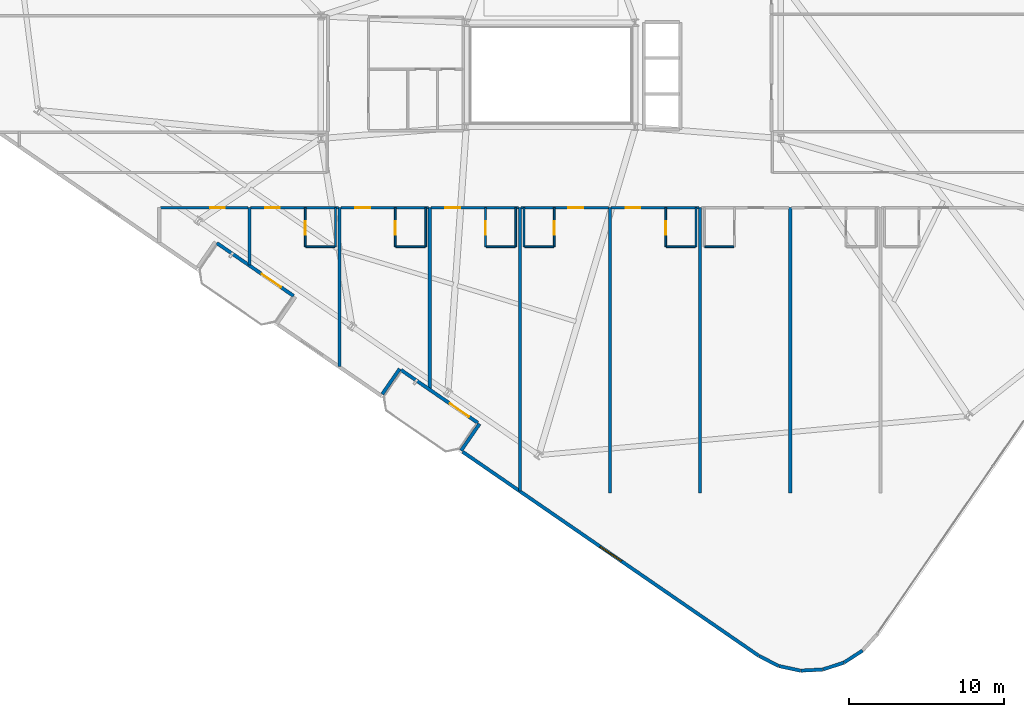
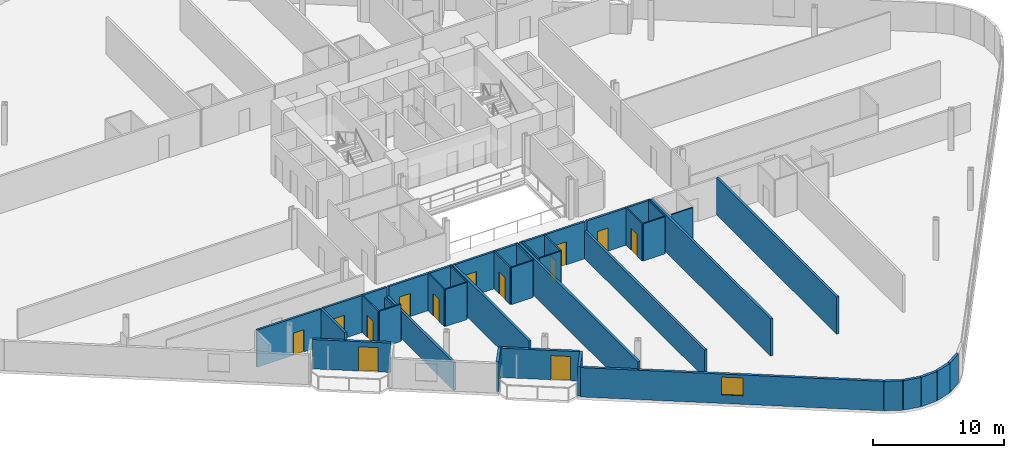
# One storey, part 17 of 25: 39 walls, 13 doors, 1 window, 14 openings.
"""IFC4 building model written with IfcOpenShell, lengths in metres."""

from ifc_helpers import new_model, si_unit, direction, frame, frame_2d, origin, place, context, subcontext, project, spatial, rectangle, extrude, material, layer, layer_set, type_object, element, fill, save


model = new_model("IFC4")

# Units and contexts
model_context = context("Model", 3, precision=1e-05, world=origin(), true_north=direction((0.0, 1.0)))
body_context = subcontext(model_context, "Body", "Model", "MODEL_VIEW")
ifc_project = project(units=[si_unit("LENGTHUNIT", "METRE"), si_unit("AREAUNIT", "SQUARE_METRE"), si_unit("VOLUMEUNIT", "CUBIC_METRE"), si_unit("PLANEANGLEUNIT", "RADIAN"), si_unit("MASSUNIT", "GRAM", prefix="KILO")], contexts=[model_context])

# Site, building, storey
site_placement = place(None, origin())
site = spatial("IfcSite", under=ifc_project, at=site_placement, CompositionType="ELEMENT")
building_placement = place(site_placement, origin())
building = spatial("IfcBuilding", under=site, at=building_placement, Name="Varnelok Gate Tower", CompositionType="ELEMENT")
storey_placement = place(building_placement, frame((0.0, 0.0, 64.0)))
storey = spatial("IfcBuildingStorey", under=building, at=storey_placement, Name="L15", CompositionType="ELEMENT", Elevation=64.0)

# Wall, opening, door
ifc_material_1 = material(Name="Concrete C45/55", Category="concrete")
ifc_layer_1 = layer(ifc_material_1, 0.219970703125)
ifc_layer_set_1 = layer_set([ifc_layer_1], Name="Concrete C45/55")
wall_type_1 = type_object("IfcWallType", Name="EW-BALC-220", PredefinedType="SOLIDWALL", material=ifc_layer_set_1)
wall_1_placement = place(storey_placement, frame((22.642822265625, 8.667236328125, 0.0), z_axis=(0.0, 0.0, 1.0), x_axis=(-0.823534636215, 0.567265989598, 0.0)))
wall_1 = element("IfcWall", 1, at=wall_1_placement, inside=storey, type_object=wall_type_1, Name="L15 South Terrace Envelope Wall 1", PredefinedType="SOLIDWALL", context=body_context, shape_type="SweptSolid", body=[
    extrude(rectangle(XDim=6.0, YDim=0.219970703125, at=frame_2d((3.0, 0.0))), origin(), (0.0, 0.0, 1.0), 2.72998046875),
])
opening_1_placement = place(wall_1_placement, frame((0.991943359375, 0.0, 0.0)))
opening_1 = element("IfcOpeningElement", 2, at=opening_1_placement, cuts=wall_1, Name="Opening BD-1", PredefinedType="OPENING", context=body_context, shape_type="SweptSolid", body=[
    extrude(rectangle(XDim=1.5, YDim=2.25, at=frame_2d((0.75, 1.125))), frame((0.0, 0.119873046875, 0.0), z_axis=(0.0, -1.0, 0.0), x_axis=(1.0, 0.0, 0.0)), (0.0, 0.0, 1.0), 0.239990234375),
])
ifc_material_2 = material(Name="Anodized Aluminum Alloy 6063-T6", Category="aluminium")
door_type_1 = type_object("IfcDoorType", Name="DR-EXT-BALC1500", OperationType="NOTDEFINED", PredefinedType="DOOR", material=ifc_material_2)
door_1_placement = place(opening_1_placement, origin())
door_1 = element("IfcDoor", 3, at=door_1_placement, inside=storey, type_object=door_type_1, Name="L15 South Balcony Glazed Door 1", OperationType="SINGLE_SWING_RIGHT", OverallHeight=2.25, OverallWidth=1.5, PredefinedType="DOOR", context=body_context, shape_type="SweptSolid", body=[
    extrude(rectangle(XDim=1.5, YDim=2.25, at=frame_2d((0.75, 1.125))), frame((0.0, 0.02490234375, 0.0), z_axis=(0.0, -1.0, 0.0), x_axis=(1.0, 0.0, 0.0)), (0.0, 0.0, 1.0), 0.050048828125),
])
fill(opening_1, door_1)

wall_2_placement = place(storey_placement, frame((34.501708984375, 0.49853515625, 0.0), z_axis=(0.0, 0.0, 1.0), x_axis=(-0.823534636215, 0.567265989598, 0.0)))
wall_2 = element("IfcWall", 4, at=wall_2_placement, inside=storey, type_object=wall_type_1, Name="L15 South Terrace Envelope Wall 2", PredefinedType="SOLIDWALL", context=body_context, shape_type="SweptSolid", body=[
    extrude(rectangle(XDim=6.0, YDim=0.219970703125, at=frame_2d((3.0, 0.0))), origin(), (0.0, 0.0, 1.0), 2.72998046875),
])
opening_2_placement = place(wall_2_placement, frame((0.696044921875, 0.0, 0.0)))
opening_2 = element("IfcOpeningElement", 5, at=opening_2_placement, cuts=wall_2, Name="Opening BD-1", PredefinedType="OPENING", context=body_context, shape_type="SweptSolid", body=[
    extrude(rectangle(XDim=1.5, YDim=2.25, at=frame_2d((0.75, 1.125))), frame((0.0, 0.119873046875, 0.0), z_axis=(0.0, -1.0, 0.0), x_axis=(1.0, 0.0, 0.0)), (0.0, 0.0, 1.0), 0.239990234375),
])
door_2_placement = place(opening_2_placement, origin())
door_2 = element("IfcDoor", 6, at=door_2_placement, inside=storey, type_object=door_type_1, Name="L15 South Balcony Glazed Door 2", OperationType="SINGLE_SWING_LEFT", OverallHeight=2.25, OverallWidth=1.5, PredefinedType="DOOR", context=body_context, shape_type="SweptSolid", body=[
    extrude(rectangle(XDim=1.5, YDim=2.25, at=frame_2d((0.75, 1.125))), frame((0.0, 0.02490234375, 0.0), z_axis=(0.0, -1.0, 0.0), x_axis=(1.0, 0.0, 0.0)), (0.0, 0.0, 1.0), 0.050048828125),
])
fill(opening_2, door_2)

# Walls
wall_3_placement = place(storey_placement, frame((28.34716796875, 2.351806640625, 0.0), z_axis=(0.0, 0.0, 1.0), x_axis=(0.567215821234, 0.823569190865, 0.0)))
element("IfcWall", 7, at=wall_3_placement, inside=storey, type_object=wall_type_1, Name="L15 Perimeter Facade Closure Wall 11", PredefinedType="SOLIDWALL", context=body_context, shape_type="SweptSolid", body=[
    extrude(rectangle(XDim=1.97509765625, YDim=0.219970703125, at=frame_2d((0.987548828125, 0.0))), origin(), (0.0, 0.0, 1.0), 2.72998046875),
])
wall_4_placement = place(storey_placement, frame((34.606201171875, 0.438720703125, 0.0), z_axis=(0.0, 0.0, 1.0), x_axis=(-0.567219383419, -0.823566737474, 0.0)))
element("IfcWall", 8, at=wall_4_placement, inside=storey, type_object=wall_type_1, Name="L15 Perimeter Facade Closure Wall 12", PredefinedType="SOLIDWALL", context=body_context, shape_type="SweptSolid", body=[
    extrude(rectangle(XDim=2.10009765625, YDim=0.219970703125, at=frame_2d((1.050048828125, 0.0))), origin(), (0.0, 0.0, 1.0), 2.72998046875),
])

# Wall, opening, window
wall_5_placement = place(storey_placement, frame((33.517822265625, -1.36181640625, 0.0), z_axis=(0.0, 0.0, 1.0), x_axis=(0.82353935489, -0.567259139148, 0.0)))
wall_5 = element("IfcWall", 9, at=wall_5_placement, inside=storey, type_object=wall_type_1, Name="L15 Perimeter Facade Closure Wall 13", PredefinedType="SOLIDWALL", context=body_context, shape_type="SweptSolid", body=[
    extrude(rectangle(XDim=23.14697265625, YDim=0.219970703125, at=frame_2d((11.573486328125, 0.0))), origin(), (0.0, 0.0, 1.0), 2.72998046875),
])
opening_3_placement = place(wall_5_placement, frame((10.74853515625, 0.0, 0.800048828125)))
opening_3 = element("IfcOpeningElement", 10, at=opening_3_placement, cuts=wall_5, Name="Opening WN3", PredefinedType="OPENING", context=body_context, shape_type="SweptSolid", body=[
    extrude(rectangle(XDim=1.64990234375, YDim=1.64990234375, at=frame_2d((0.824951171875, 0.824951171875))), frame((0.0, 0.119873046875, 0.0), z_axis=(0.0, -1.0, 0.0), x_axis=(1.0, 0.0, 0.0)), (0.0, 0.0, 1.0), 0.239990234375),
])
ifc_material_3 = material(Name="Low-E Laminated Double Glazing IGU", Category="glass")
window_type = type_object("IfcWindowType", Name="WN-HTL-1650", PartitioningType="SINGLE_PANEL", PredefinedType="WINDOW", material=ifc_material_3)
window_placement = place(opening_3_placement, origin())
window = element("IfcWindow", 11, at=window_placement, inside=storey, type_object=window_type, Name="L15 Perimeter Vision Window 13", OverallHeight=1.64990234375, OverallWidth=1.64990234375, PartitioningType="SINGLE_PANEL", PredefinedType="WINDOW", context=body_context, shape_type="SweptSolid", body=[
    extrude(rectangle(XDim=1.64990234375, YDim=1.64990234375, at=frame_2d((0.824951171875, 0.824951171875))), frame((0.0, 0.030029296875, 0.0), z_axis=(0.0, -1.0, 0.0), x_axis=(1.0, 0.0, 0.0)), (0.0, 0.0, 1.0), 0.06005859375),
])
fill(opening_3, window)

# Walls
wall_6_placement = place(storey_placement, frame((52.602783203125, -14.503662109375, 0.0), z_axis=(0.0, 0.0, 1.0), x_axis=(0.89052335693, -0.45493752402, 0.0)))
element("IfcWall", 12, at=wall_6_placement, inside=storey, type_object=wall_type_1, Name="L15 Perimeter Facade Closure Wall 14", PredefinedType="SOLIDWALL", context=body_context, shape_type="SweptSolid", body=[
    extrude(rectangle(XDim=1.4130859375, YDim=0.219970703125, at=frame_2d((0.70654296875, 0.0))), origin(), (0.0, 0.0, 1.0), 2.72998046875),
])
for number, where, z_axis, x_axis, name in (
    (13, (53.8857421875, -15.15185546875, 0.0), (0.0, 0.0, 1.0), (0.977952168511, -0.208829011645, 0.0), "L15 Perimeter Facade Closure Wall 15"),
    (14, (55.284912109375, -15.444091796875, 0.0), (0.0, 0.0, 1.0), (0.998685611917, 0.051254741739, 0.0), "L15 Perimeter Facade Closure Wall 16"),
    (15, (56.712158203125, -15.364501953125, 0.0), (0.0, 0.0, 1.0), (0.95132472924, 0.308190297603, 0.0), "L15 Perimeter Facade Closure Wall 17"),
    (16, (58.070068359375, -14.91796875, 0.0), (0.0, 0.0, 1.0), (0.839248413468, 0.543748195851, 0.0), "L15 Perimeter Facade Closure Wall 18"),
):
    element("IfcWall", number, at=place(storey_placement, frame(where, z_axis=z_axis, x_axis=x_axis)), inside=storey, type_object=wall_type_1, Name=name, PredefinedType="SOLIDWALL", context=body_context, shape_type="SweptSolid", body=[
        extrude(rectangle(XDim=1.4052734375, YDim=0.219970703125, at=frame_2d((0.70263671875, 0.0))), origin(), (0.0, 0.0, 1.0), 2.72998046875),
    ])

# Wall, opening, door
ifc_material_4 = material(Name="Gypsum Plasterboard Acoustic Partition", Category="gypsum")
ifc_layer_2 = layer(ifc_material_4, 0.179931640625)
ifc_layer_set_2 = layer_set([ifc_layer_2], Name="Gypsum Plasterboard Acoustic Partition")
wall_type_2 = type_object("IfcWallType", Name="PW-CORR-180", PredefinedType="PARTITIONING", material=ifc_layer_set_2)
wall_7_placement = place(storey_placement, frame((14.080078125, 14.35009765625, 0.0), z_axis=(0.0, 0.0, 1.0), x_axis=(1.0, 0.0, 0.0)))
wall_7 = element("IfcWall", 17, at=wall_7_placement, inside=storey, type_object=wall_type_2, Name="Interior Partition", PredefinedType="PARTITIONING", context=body_context, shape_type="SweptSolid", body=[
    extrude(rectangle(XDim=5.639892578125, YDim=0.179931640625, at=frame_2d((2.81982421875, 0.0))), origin(), (0.0, 0.0, 1.0), 3.449951171875),
])
opening_4_placement = place(wall_7_placement, frame((3.195068359375, 0.0, 0.0)))
opening_4 = element("IfcOpeningElement", 18, at=opening_4_placement, cuts=wall_7, Name="Opening D-I2", PredefinedType="OPENING", context=body_context, shape_type="SweptSolid", body=[
    extrude(rectangle(XDim=0.949951171875, YDim=2.050048828125, at=frame_2d((0.47509765625, 1.02490234375))), frame((0.0, 0.099853515625, 0.0), z_axis=(0.0, -1.0, 0.0), x_axis=(1.0, 0.0, 0.0)), (0.0, 0.0, 1.0), 0.199951171875),
])
ifc_material_5 = material(Name="Engineered Hardwood Timber", Category="wood")
door_type_2 = type_object("IfcDoorType", Name="DR-INT-950", OperationType="NOTDEFINED", PredefinedType="DOOR", material=ifc_material_5)
door_3_placement = place(opening_4_placement, origin())
door_3 = element("IfcDoor", 19, at=door_3_placement, inside=storey, type_object=door_type_2, Name="L15 Executive Business Office 1 Door", OperationType="SINGLE_SWING_LEFT", OverallHeight=2.050048828125, OverallWidth=0.949951171875, PredefinedType="DOOR", context=body_context, shape_type="SweptSolid", body=[
    extrude(rectangle(XDim=0.949951171875, YDim=2.050048828125, at=frame_2d((0.47509765625, 1.02490234375))), frame((0.0, 0.02490234375, 0.0), z_axis=(0.0, -1.0, 0.0), x_axis=(1.0, 0.0, 0.0)), (0.0, 0.0, 1.0), 0.050048828125),
])
fill(opening_4, door_3)

wall_8_placement = place(storey_placement, frame((19.8798828125, 14.35009765625, 0.0), z_axis=(0.0, 0.0, 1.0), x_axis=(1.0, 0.0, 0.0)))
wall_8 = element("IfcWall", 20, at=wall_8_placement, inside=storey, type_object=wall_type_2, Name="Interior Partition", PredefinedType="PARTITIONING", context=body_context, shape_type="SweptSolid", body=[
    extrude(rectangle(XDim=5.64013671875, YDim=0.179931640625, at=frame_2d((2.820068359375, 0.0))), origin(), (0.0, 0.0, 1.0), 3.449951171875),
])
opening_5_placement = place(wall_8_placement, frame((0.9326171875, 0.0, 0.0)))
opening_5 = element("IfcOpeningElement", 21, at=opening_5_placement, cuts=wall_8, Name="Opening D-HT", PredefinedType="OPENING", context=body_context, shape_type="SweptSolid", body=[
    extrude(rectangle(XDim=0.949951171875, YDim=2.14990234375, at=frame_2d((0.47509765625, 1.074951171875))), frame((0.0, 0.099853515625, 0.0), z_axis=(0.0, -1.0, 0.0), x_axis=(1.0, 0.0, 0.0)), (0.0, 0.0, 1.0), 0.199951171875),
])
door_type_3 = type_object("IfcDoorType", Name="DR-HTL-950", OperationType="NOTDEFINED", PredefinedType="DOOR", material=ifc_material_5)
door_4_placement = place(opening_5_placement, origin())
door_4 = element("IfcDoor", 22, at=door_4_placement, inside=storey, type_object=door_type_3, Name="L15 Guest Room 03 Entrance Door", OperationType="SINGLE_SWING_RIGHT", OverallHeight=2.14990234375, OverallWidth=0.949951171875, PredefinedType="DOOR", context=body_context, shape_type="SweptSolid", body=[
    extrude(rectangle(XDim=0.949951171875, YDim=2.14990234375, at=frame_2d((0.47509765625, 1.074951171875))), frame((0.0, 0.02490234375, 0.0), z_axis=(0.0, -1.0, 0.0), x_axis=(1.0, 0.0, 0.0)), (0.0, 0.0, 1.0), 0.050048828125),
])
fill(opening_5, door_4)

wall_9_placement = place(storey_placement, frame((25.679931640625, 14.35009765625, 0.0), z_axis=(0.0, 0.0, 1.0), x_axis=(1.0, 0.0, 0.0)))
wall_9 = element("IfcWall", 23, at=wall_9_placement, inside=storey, type_object=wall_type_2, Name="Interior Partition", PredefinedType="PARTITIONING", context=body_context, shape_type="SweptSolid", body=[
    extrude(rectangle(XDim=5.64013671875, YDim=0.179931640625, at=frame_2d((2.820068359375, 0.0))), origin(), (0.0, 0.0, 1.0), 3.449951171875),
])
opening_6_placement = place(wall_9_placement, frame((0.9326171875, 0.0, 0.0)))
opening_6 = element("IfcOpeningElement", 24, at=opening_6_placement, cuts=wall_9, Name="Opening D-HT", PredefinedType="OPENING", context=body_context, shape_type="SweptSolid", body=[
    extrude(rectangle(XDim=0.949951171875, YDim=2.14990234375, at=frame_2d((0.47509765625, 1.074951171875))), frame((0.0, 0.099853515625, 0.0), z_axis=(0.0, -1.0, 0.0), x_axis=(1.0, 0.0, 0.0)), (0.0, 0.0, 1.0), 0.199951171875),
])
door_5_placement = place(opening_6_placement, origin())
door_5 = element("IfcDoor", 25, at=door_5_placement, inside=storey, type_object=door_type_3, Name="L15 Guest Room 04 Entrance Door", OperationType="SINGLE_SWING_LEFT", OverallHeight=2.14990234375, OverallWidth=0.949951171875, PredefinedType="DOOR", context=body_context, shape_type="SweptSolid", body=[
    extrude(rectangle(XDim=0.949951171875, YDim=2.14990234375, at=frame_2d((0.47509765625, 1.074951171875))), frame((0.0, 0.02490234375, 0.0), z_axis=(0.0, -1.0, 0.0), x_axis=(1.0, 0.0, 0.0)), (0.0, 0.0, 1.0), 0.050048828125),
])
fill(opening_6, door_5)

wall_10_placement = place(storey_placement, frame((31.47998046875, 14.35009765625, 0.0), z_axis=(0.0, 0.0, 1.0), x_axis=(1.0, 0.0, 0.0)))
wall_10 = element("IfcWall", 26, at=wall_10_placement, inside=storey, type_object=wall_type_2, Name="Interior Partition", PredefinedType="PARTITIONING", context=body_context, shape_type="SweptSolid", body=[
    extrude(rectangle(XDim=5.64013671875, YDim=0.179931640625, at=frame_2d((2.820068359375, 0.0))), origin(), (0.0, 0.0, 1.0), 3.449951171875),
])
opening_7_placement = place(wall_10_placement, frame((0.9326171875, 0.0, 0.0)))
opening_7 = element("IfcOpeningElement", 27, at=opening_7_placement, cuts=wall_10, Name="Opening D-HT", PredefinedType="OPENING", context=body_context, shape_type="SweptSolid", body=[
    extrude(rectangle(XDim=0.949951171875, YDim=2.14990234375, at=frame_2d((0.47509765625, 1.074951171875))), frame((0.0, 0.099853515625, 0.0), z_axis=(0.0, -1.0, 0.0), x_axis=(1.0, 0.0, 0.0)), (0.0, 0.0, 1.0), 0.199951171875),
])
door_6_placement = place(opening_7_placement, origin())
door_6 = element("IfcDoor", 28, at=door_6_placement, inside=storey, type_object=door_type_3, Name="L15 Guest Room 05 Entrance Door", OperationType="SINGLE_SWING_RIGHT", OverallHeight=2.14990234375, OverallWidth=0.949951171875, PredefinedType="DOOR", context=body_context, shape_type="SweptSolid", body=[
    extrude(rectangle(XDim=0.949951171875, YDim=2.14990234375, at=frame_2d((0.47509765625, 1.074951171875))), frame((0.0, 0.02490234375, 0.0), z_axis=(0.0, -1.0, 0.0), x_axis=(1.0, 0.0, 0.0)), (0.0, 0.0, 1.0), 0.050048828125),
])
fill(opening_7, door_6)

wall_11_placement = place(storey_placement, frame((37.280029296875, 14.35009765625, 0.0), z_axis=(0.0, 0.0, 1.0), x_axis=(1.0, 0.0, 0.0)))
wall_11 = element("IfcWall", 29, at=wall_11_placement, inside=storey, type_object=wall_type_2, Name="Interior Partition", PredefinedType="PARTITIONING", context=body_context, shape_type="SweptSolid", body=[
    extrude(rectangle(XDim=5.639892578125, YDim=0.179931640625, at=frame_2d((2.81982421875, 0.0))), origin(), (0.0, 0.0, 1.0), 3.449951171875),
])
opening_8_placement = place(wall_11_placement, frame((3.044677734375, 0.0, 0.0)))
opening_8 = element("IfcOpeningElement", 30, at=opening_8_placement, cuts=wall_11, Name="Opening D-HT", PredefinedType="OPENING", context=body_context, shape_type="SweptSolid", body=[
    extrude(rectangle(XDim=0.949951171875, YDim=2.14990234375, at=frame_2d((0.47509765625, 1.074951171875))), frame((0.0, 0.099853515625, 0.0), z_axis=(0.0, -1.0, 0.0), x_axis=(1.0, 0.0, 0.0)), (0.0, 0.0, 1.0), 0.199951171875),
])
door_7_placement = place(opening_8_placement, origin())
door_7 = element("IfcDoor", 31, at=door_7_placement, inside=storey, type_object=door_type_3, Name="L15 Guest Room 06 Entrance Door", OperationType="SINGLE_SWING_LEFT", OverallHeight=2.14990234375, OverallWidth=0.949951171875, PredefinedType="DOOR", context=body_context, shape_type="SweptSolid", body=[
    extrude(rectangle(XDim=0.949951171875, YDim=2.14990234375, at=frame_2d((0.47509765625, 1.074951171875))), frame((0.0, 0.02490234375, 0.0), z_axis=(0.0, -1.0, 0.0), x_axis=(1.0, 0.0, 0.0)), (0.0, 0.0, 1.0), 0.050048828125),
])
fill(opening_8, door_7)

wall_12_placement = place(storey_placement, frame((43.080078125, 14.35009765625, 0.0), z_axis=(0.0, 0.0, 1.0), x_axis=(1.0, 0.0, 0.0)))
wall_12 = element("IfcWall", 32, at=wall_12_placement, inside=storey, type_object=wall_type_2, Name="Interior Partition", PredefinedType="PARTITIONING", context=body_context, shape_type="SweptSolid", body=[
    extrude(rectangle(XDim=5.639892578125, YDim=0.179931640625, at=frame_2d((2.81982421875, 0.0))), origin(), (0.0, 0.0, 1.0), 3.449951171875),
])
opening_9_placement = place(wall_12_placement, frame((0.9326171875, 0.0, 0.0)))
opening_9 = element("IfcOpeningElement", 33, at=opening_9_placement, cuts=wall_12, Name="Opening D-HT", PredefinedType="OPENING", context=body_context, shape_type="SweptSolid", body=[
    extrude(rectangle(XDim=0.949951171875, YDim=2.14990234375, at=frame_2d((0.47509765625, 1.074951171875))), frame((0.0, 0.099853515625, 0.0), z_axis=(0.0, -1.0, 0.0), x_axis=(1.0, 0.0, 0.0)), (0.0, 0.0, 1.0), 0.199951171875),
])
door_8_placement = place(opening_9_placement, origin())
door_8 = element("IfcDoor", 34, at=door_8_placement, inside=storey, type_object=door_type_3, Name="L15 Guest Room 07 Entrance Door", OperationType="SINGLE_SWING_RIGHT", OverallHeight=2.14990234375, OverallWidth=0.949951171875, PredefinedType="DOOR", context=body_context, shape_type="SweptSolid", body=[
    extrude(rectangle(XDim=0.949951171875, YDim=2.14990234375, at=frame_2d((0.47509765625, 1.074951171875))), frame((0.0, 0.02490234375, 0.0), z_axis=(0.0, -1.0, 0.0), x_axis=(1.0, 0.0, 0.0)), (0.0, 0.0, 1.0), 0.050048828125),
])
fill(opening_9, door_8)

# Wall
ifc_layer_3 = layer(ifc_material_4, 0.114990234375)
ifc_layer_set_3 = layer_set([ifc_layer_3], Name="Gypsum Plasterboard Acoustic Partition")
wall_type_3 = type_object("IfcWallType", Name="PW-ENS-125", PredefinedType="PARTITIONING", material=ifc_layer_set_3)
wall_13_placement = place(storey_placement, frame((23.427978515625, 11.830078125, 0.0), z_axis=(0.0, 0.0, 1.0), x_axis=(1.0, 0.0, 0.0)))
element("IfcWall", 35, at=wall_13_placement, inside=storey, type_object=wall_type_3, Name="Interior Partition", PredefinedType="PARTITIONING", context=body_context, shape_type="SweptSolid", body=[
    extrude(rectangle(XDim=1.8720703125, YDim=0.114990234375, at=frame_2d((0.93603515625, 0.0))), origin(), (0.0, 0.0, 1.0), 3.449951171875),
])

# Wall, opening, door
wall_14_placement = place(storey_placement, frame((23.387939453125, 11.830078125, 0.0), z_axis=(0.0, 0.0, 1.0), x_axis=(0.0, 1.0, 0.0)))
wall_14 = element("IfcWall", 36, at=wall_14_placement, inside=storey, type_object=wall_type_3, Name="Interior Partition", PredefinedType="PARTITIONING", context=body_context, shape_type="SweptSolid", body=[
    extrude(rectangle(XDim=2.52001953125, YDim=0.114990234375, at=frame_2d((1.260009765625, 0.0))), origin(), (0.0, 0.0, 1.0), 3.449951171875),
])
opening_10_placement = place(wall_14_placement, frame((0.760009765625, 0.0, 0.0)))
opening_10 = element("IfcOpeningElement", 37, at=opening_10_placement, cuts=wall_14, Name="Opening D-WC", PredefinedType="OPENING", context=body_context, shape_type="SweptSolid", body=[
    extrude(rectangle(XDim=0.89990234375, YDim=2.050048828125, at=frame_2d((0.449951171875, 1.02490234375))), frame((0.0, 0.0673828125, 0.0), z_axis=(0.0, -1.0, 0.0), x_axis=(1.0, 0.0, 0.0)), (0.0, 0.0, 1.0), 0.135009765625),
])
door_type_4 = type_object("IfcDoorType", Name="DR-BATH-900", OperationType="NOTDEFINED", PredefinedType="DOOR", material=ifc_material_5)
door_9_placement = place(opening_10_placement, origin())
door_9 = element("IfcDoor", 38, at=door_9_placement, inside=storey, type_object=door_type_4, Name="L15 Guest En-Suite 03 Door", OperationType="SINGLE_SWING_RIGHT", OverallHeight=2.050048828125, OverallWidth=0.89990234375, PredefinedType="DOOR", context=body_context, shape_type="SweptSolid", body=[
    extrude(rectangle(XDim=0.89990234375, YDim=2.050048828125, at=frame_2d((0.449951171875, 1.02490234375))), frame((0.0, 0.02490234375, 0.0), z_axis=(0.0, -1.0, 0.0), x_axis=(1.0, 0.0, 0.0)), (0.0, 0.0, 1.0), 0.050048828125),
])
fill(opening_10, door_9)

# Walls
wall_15_placement = place(storey_placement, frame((25.340087890625, 11.830078125, 0.0), z_axis=(0.0, 0.0, 1.0), x_axis=(0.0, 1.0, 0.0)))
element("IfcWall", 39, at=wall_15_placement, inside=storey, type_object=wall_type_3, Name="Interior Partition", PredefinedType="PARTITIONING", context=body_context, shape_type="SweptSolid", body=[
    extrude(rectangle(XDim=2.52001953125, YDim=0.114990234375, at=frame_2d((1.260009765625, 0.0))), origin(), (0.0, 0.0, 1.0), 2.580078125),
])
wall_16_placement = place(storey_placement, frame((29.22802734375, 11.830078125, 0.0), z_axis=(0.0, 0.0, 1.0), x_axis=(1.0, 0.0, 0.0)))
element("IfcWall", 40, at=wall_16_placement, inside=storey, type_object=wall_type_3, Name="Interior Partition", PredefinedType="PARTITIONING", context=body_context, shape_type="SweptSolid", body=[
    extrude(rectangle(XDim=1.8720703125, YDim=0.114990234375, at=frame_2d((0.93603515625, 0.0))), origin(), (0.0, 0.0, 1.0), 3.449951171875),
])

# Wall, opening, door
wall_17_placement = place(storey_placement, frame((29.18798828125, 11.830078125, 0.0), z_axis=(0.0, 0.0, 1.0), x_axis=(0.0, 1.0, 0.0)))
wall_17 = element("IfcWall", 41, at=wall_17_placement, inside=storey, type_object=wall_type_3, Name="Interior Partition", PredefinedType="PARTITIONING", context=body_context, shape_type="SweptSolid", body=[
    extrude(rectangle(XDim=2.52001953125, YDim=0.114990234375, at=frame_2d((1.260009765625, 0.0))), origin(), (0.0, 0.0, 1.0), 3.449951171875),
])
opening_11_placement = place(wall_17_placement, frame((0.760009765625, 0.0, 0.0)))
opening_11 = element("IfcOpeningElement", 42, at=opening_11_placement, cuts=wall_17, Name="Opening D-WC", PredefinedType="OPENING", context=body_context, shape_type="SweptSolid", body=[
    extrude(rectangle(XDim=0.89990234375, YDim=2.050048828125, at=frame_2d((0.449951171875, 1.02490234375))), frame((0.0, 0.0673828125, 0.0), z_axis=(0.0, -1.0, 0.0), x_axis=(1.0, 0.0, 0.0)), (0.0, 0.0, 1.0), 0.135009765625),
])
door_10_placement = place(opening_11_placement, origin())
door_10 = element("IfcDoor", 43, at=door_10_placement, inside=storey, type_object=door_type_4, Name="L15 Guest En-Suite 04 Door", OperationType="SINGLE_SWING_RIGHT", OverallHeight=2.050048828125, OverallWidth=0.89990234375, PredefinedType="DOOR", context=body_context, shape_type="SweptSolid", body=[
    extrude(rectangle(XDim=0.89990234375, YDim=2.050048828125, at=frame_2d((0.449951171875, 1.02490234375))), frame((0.0, 0.02490234375, 0.0), z_axis=(0.0, -1.0, 0.0), x_axis=(1.0, 0.0, 0.0)), (0.0, 0.0, 1.0), 0.050048828125),
])
fill(opening_11, door_10)

# Walls
wall_18_placement = place(storey_placement, frame((31.139892578125, 11.830078125, 0.0), z_axis=(0.0, 0.0, 1.0), x_axis=(0.0, 1.0, 0.0)))
element("IfcWall", 44, at=wall_18_placement, inside=storey, type_object=wall_type_3, Name="Interior Partition", PredefinedType="PARTITIONING", context=body_context, shape_type="SweptSolid", body=[
    extrude(rectangle(XDim=2.52001953125, YDim=0.114990234375, at=frame_2d((1.260009765625, 0.0))), origin(), (0.0, 0.0, 1.0), 3.449951171875),
])
wall_19_placement = place(storey_placement, frame((35.028076171875, 11.830078125, 0.0), z_axis=(0.0, 0.0, 1.0), x_axis=(1.0, 0.0, 0.0)))
element("IfcWall", 45, at=wall_19_placement, inside=storey, type_object=wall_type_3, Name="Interior Partition", PredefinedType="PARTITIONING", context=body_context, shape_type="SweptSolid", body=[
    extrude(rectangle(XDim=1.871826171875, YDim=0.114990234375, at=frame_2d((0.93603515625, 0.0))), origin(), (0.0, 0.0, 1.0), 3.449951171875),
])

# Wall, opening, door
wall_20_placement = place(storey_placement, frame((34.988037109375, 11.830078125, 0.0), z_axis=(0.0, 0.0, 1.0), x_axis=(0.0, 1.0, 0.0)))
wall_20 = element("IfcWall", 46, at=wall_20_placement, inside=storey, type_object=wall_type_3, Name="Interior Partition", PredefinedType="PARTITIONING", context=body_context, shape_type="SweptSolid", body=[
    extrude(rectangle(XDim=2.52001953125, YDim=0.114990234375, at=frame_2d((1.260009765625, 0.0))), origin(), (0.0, 0.0, 1.0), 3.449951171875),
])
opening_12_placement = place(wall_20_placement, frame((0.760009765625, 0.0, 0.0)))
opening_12 = element("IfcOpeningElement", 47, at=opening_12_placement, cuts=wall_20, Name="Opening D-WC", PredefinedType="OPENING", context=body_context, shape_type="SweptSolid", body=[
    extrude(rectangle(XDim=0.89990234375, YDim=2.050048828125, at=frame_2d((0.449951171875, 1.02490234375))), frame((0.0, 0.0673828125, 0.0), z_axis=(0.0, -1.0, 0.0), x_axis=(1.0, 0.0, 0.0)), (0.0, 0.0, 1.0), 0.135009765625),
])
door_11_placement = place(opening_12_placement, origin())
door_11 = element("IfcDoor", 48, at=door_11_placement, inside=storey, type_object=door_type_4, Name="L15 Guest En-Suite 05 Door", OperationType="SINGLE_SWING_RIGHT", OverallHeight=2.050048828125, OverallWidth=0.89990234375, PredefinedType="DOOR", context=body_context, shape_type="SweptSolid", body=[
    extrude(rectangle(XDim=0.89990234375, YDim=2.050048828125, at=frame_2d((0.449951171875, 1.02490234375))), frame((0.0, 0.02490234375, 0.0), z_axis=(0.0, -1.0, 0.0), x_axis=(1.0, 0.0, 0.0)), (0.0, 0.0, 1.0), 0.050048828125),
])
fill(opening_12, door_11)

# Walls
wall_21_placement = place(storey_placement, frame((36.93994140625, 11.830078125, 0.0), z_axis=(0.0, 0.0, 1.0), x_axis=(0.0, 1.0, 0.0)))
element("IfcWall", 49, at=wall_21_placement, inside=storey, type_object=wall_type_3, Name="Interior Partition", PredefinedType="PARTITIONING", context=body_context, shape_type="SweptSolid", body=[
    extrude(rectangle(XDim=2.52001953125, YDim=0.114990234375, at=frame_2d((1.260009765625, 0.0))), origin(), (0.0, 0.0, 1.0), 3.449951171875),
])
wall_22_placement = place(storey_placement, frame((37.5, 11.830078125, 0.0), z_axis=(0.0, 0.0, 1.0), x_axis=(1.0, 0.0, 0.0)))
element("IfcWall", 50, at=wall_22_placement, inside=storey, type_object=wall_type_3, Name="Interior Partition", PredefinedType="PARTITIONING", context=body_context, shape_type="SweptSolid", body=[
    extrude(rectangle(XDim=1.8720703125, YDim=0.114990234375, at=frame_2d((0.93603515625, 0.0))), origin(), (0.0, 0.0, 1.0), 3.449951171875),
])

# Wall, opening, door
wall_23_placement = place(storey_placement, frame((39.412109375, 11.830078125, 0.0), z_axis=(0.0, 0.0, 1.0), x_axis=(0.0, 1.0, 0.0)))
wall_23 = element("IfcWall", 51, at=wall_23_placement, inside=storey, type_object=wall_type_3, Name="Interior Partition", PredefinedType="PARTITIONING", context=body_context, shape_type="SweptSolid", body=[
    extrude(rectangle(XDim=2.52001953125, YDim=0.114990234375, at=frame_2d((1.260009765625, 0.0))), origin(), (0.0, 0.0, 1.0), 3.449951171875),
])
opening_13_placement = place(wall_23_placement, frame((0.760009765625, 0.0, 0.0)))
opening_13 = element("IfcOpeningElement", 52, at=opening_13_placement, cuts=wall_23, Name="Opening D-WC", PredefinedType="OPENING", context=body_context, shape_type="SweptSolid", body=[
    extrude(rectangle(XDim=0.89990234375, YDim=2.050048828125, at=frame_2d((0.449951171875, 1.02490234375))), frame((0.0, 0.0673828125, 0.0), z_axis=(0.0, -1.0, 0.0), x_axis=(1.0, 0.0, 0.0)), (0.0, 0.0, 1.0), 0.135009765625),
])
door_12_placement = place(opening_13_placement, origin())
door_12 = element("IfcDoor", 53, at=door_12_placement, inside=storey, type_object=door_type_4, Name="L15 Guest En-Suite 06 Door", OperationType="SINGLE_SWING_LEFT", OverallHeight=2.050048828125, OverallWidth=0.89990234375, PredefinedType="DOOR", context=body_context, shape_type="SweptSolid", body=[
    extrude(rectangle(XDim=0.89990234375, YDim=2.050048828125, at=frame_2d((0.449951171875, 1.02490234375))), frame((0.0, 0.02490234375, 0.0), z_axis=(0.0, -1.0, 0.0), x_axis=(1.0, 0.0, 0.0)), (0.0, 0.0, 1.0), 0.050048828125),
])
fill(opening_13, door_12)

# Walls
wall_24_placement = place(storey_placement, frame((37.4599609375, 11.830078125, 0.0), z_axis=(0.0, 0.0, 1.0), x_axis=(0.0, 1.0, 0.0)))
element("IfcWall", 54, at=wall_24_placement, inside=storey, type_object=wall_type_3, Name="Interior Partition", PredefinedType="PARTITIONING", context=body_context, shape_type="SweptSolid", body=[
    extrude(rectangle(XDim=2.52001953125, YDim=0.114990234375, at=frame_2d((1.260009765625, 0.0))), origin(), (0.0, 0.0, 1.0), 3.449951171875),
])
wall_25_placement = place(storey_placement, frame((46.6279296875, 11.830078125, 0.0), z_axis=(0.0, 0.0, 1.0), x_axis=(1.0, 0.0, 0.0)))
element("IfcWall", 55, at=wall_25_placement, inside=storey, type_object=wall_type_3, Name="Interior Partition", PredefinedType="PARTITIONING", context=body_context, shape_type="SweptSolid", body=[
    extrude(rectangle(XDim=1.8720703125, YDim=0.114990234375, at=frame_2d((0.93603515625, 0.0))), origin(), (0.0, 0.0, 1.0), 3.449951171875),
])

# Wall, opening, door
wall_26_placement = place(storey_placement, frame((46.587890625, 11.830078125, 0.0), z_axis=(0.0, 0.0, 1.0), x_axis=(0.0, 1.0, 0.0)))
wall_26 = element("IfcWall", 56, at=wall_26_placement, inside=storey, type_object=wall_type_3, Name="Interior Partition", PredefinedType="PARTITIONING", context=body_context, shape_type="SweptSolid", body=[
    extrude(rectangle(XDim=2.52001953125, YDim=0.114990234375, at=frame_2d((1.260009765625, 0.0))), origin(), (0.0, 0.0, 1.0), 3.449951171875),
])
opening_14_placement = place(wall_26_placement, frame((0.760009765625, 0.0, 0.0)))
opening_14 = element("IfcOpeningElement", 57, at=opening_14_placement, cuts=wall_26, Name="Opening D-WC", PredefinedType="OPENING", context=body_context, shape_type="SweptSolid", body=[
    extrude(rectangle(XDim=0.89990234375, YDim=2.050048828125, at=frame_2d((0.449951171875, 1.02490234375))), frame((0.0, 0.0673828125, 0.0), z_axis=(0.0, -1.0, 0.0), x_axis=(1.0, 0.0, 0.0)), (0.0, 0.0, 1.0), 0.135009765625),
])
door_13_placement = place(opening_14_placement, origin())
door_13 = element("IfcDoor", 58, at=door_13_placement, inside=storey, type_object=door_type_4, Name="L15 Guest En-Suite 07 Door", OperationType="SINGLE_SWING_RIGHT", OverallHeight=2.050048828125, OverallWidth=0.89990234375, PredefinedType="DOOR", context=body_context, shape_type="SweptSolid", body=[
    extrude(rectangle(XDim=0.89990234375, YDim=2.050048828125, at=frame_2d((0.449951171875, 1.02490234375))), frame((0.0, 0.02490234375, 0.0), z_axis=(0.0, -1.0, 0.0), x_axis=(1.0, 0.0, 0.0)), (0.0, 0.0, 1.0), 0.050048828125),
])
fill(opening_14, door_13)

# Walls
wall_27_placement = place(storey_placement, frame((48.5400390625, 11.830078125, 0.0), z_axis=(0.0, 0.0, 1.0), x_axis=(0.0, 1.0, 0.0)))
element("IfcWall", 59, at=wall_27_placement, inside=storey, type_object=wall_type_3, Name="Interior Partition", PredefinedType="PARTITIONING", context=body_context, shape_type="SweptSolid", body=[
    extrude(rectangle(XDim=2.52001953125, YDim=0.114990234375, at=frame_2d((1.260009765625, 0.0))), origin(), (0.0, 0.0, 1.0), 3.449951171875),
])
wall_28_placement = place(storey_placement, frame((49.10009765625, 11.830078125, 0.0), z_axis=(0.0, 0.0, 1.0), x_axis=(1.0, 0.0, 0.0)))
element("IfcWall", 60, at=wall_28_placement, inside=storey, type_object=wall_type_3, Name="Interior Partition", PredefinedType="PARTITIONING", context=body_context, shape_type="SweptSolid", body=[
    extrude(rectangle(XDim=1.871826171875, YDim=0.114990234375, at=frame_2d((0.93603515625, 0.0))), origin(), (0.0, 0.0, 1.0), 3.449951171875),
])
ifc_layer_4 = layer(ifc_material_4, 0.205078125)
ifc_layer_set_4 = layer_set([ifc_layer_4], Name="Gypsum Plasterboard Acoustic Partition")
wall_type_4 = type_object("IfcWallType", Name="PW-PARTY-200", PredefinedType="PARTITIONING", material=ifc_layer_set_4)
wall_29_placement = place(storey_placement, frame((19.800048828125, 10.661865234375, 0.0), z_axis=(0.0, 0.0, 1.0), x_axis=(0.0, 1.0, 0.0)))
element("IfcWall", 61, at=wall_29_placement, inside=storey, type_object=wall_type_4, Name="L15 South Party Wall 2", PredefinedType="PARTITIONING", context=body_context, shape_type="SweptSolid", body=[
    extrude(rectangle(XDim=3.688232421875, YDim=0.205078125, at=frame_2d((1.84423828125, 0.0))), origin(), (0.0, 0.0, 1.0), 3.449951171875),
])
wall_30_placement = place(storey_placement, frame((25.60009765625, 4.11669921875, 0.0), z_axis=(0.0, 0.0, 1.0), x_axis=(0.0, 1.0, 0.0)))
element("IfcWall", 62, at=wall_30_placement, inside=storey, type_object=wall_type_4, Name="L15 South Party Wall 3", PredefinedType="PARTITIONING", context=body_context, shape_type="SweptSolid", body=[
    extrude(rectangle(XDim=10.2333984375, YDim=0.205078125, at=frame_2d((5.11669921875, 0.0))), origin(), (0.0, 0.0, 1.0), 2.580078125),
])
wall_31_placement = place(storey_placement, frame((31.39990234375, 2.67138671875, 0.0), z_axis=(0.0, 0.0, 1.0), x_axis=(0.0, 1.0, 0.0)))
element("IfcWall", 63, at=wall_31_placement, inside=storey, type_object=wall_type_4, Name="L15 South Party Wall 4", PredefinedType="PARTITIONING", context=body_context, shape_type="SweptSolid", body=[
    extrude(rectangle(XDim=11.6787109375, YDim=0.205078125, at=frame_2d((5.83935546875, 0.0))), origin(), (0.0, 0.0, 1.0), 3.449951171875),
])
wall_32_placement = place(storey_placement, frame((37.199951171875, -3.873779296875, 0.0), z_axis=(0.0, 0.0, 1.0), x_axis=(0.0, 1.0, 0.0)))
element("IfcWall", 64, at=wall_32_placement, inside=storey, type_object=wall_type_4, Name="L15 South Party Wall 5", PredefinedType="PARTITIONING", context=body_context, shape_type="SweptSolid", body=[
    extrude(rectangle(XDim=18.223876953125, YDim=0.205078125, at=frame_2d((9.11181640625, 0.0))), origin(), (0.0, 0.0, 1.0), 3.449951171875),
])
wall_33_placement = place(storey_placement, frame((43.0, -4.0, 0.0), z_axis=(0.0, 0.0, 1.0), x_axis=(0.0, 1.0, 0.0)))
element("IfcWall", 65, at=wall_33_placement, inside=storey, type_object=wall_type_4, Name="L15 South Party Wall 6", PredefinedType="PARTITIONING", context=body_context, shape_type="SweptSolid", body=[
    extrude(rectangle(XDim=18.35009765625, YDim=0.205078125, at=frame_2d((9.175048828125, 0.0))), origin(), (0.0, 0.0, 1.0), 2.580078125),
])
for number, where, z_axis, x_axis, name in (
    (66, (48.800048828125, -4.0, 0.0), (0.0, 0.0, 1.0), (0.0, 1.0, 0.0), "L15 South Party Wall 7"),
    (67, (54.60009765625, -4.0, 0.0), (0.0, 0.0, 1.0), (0.0, 1.0, 0.0), "L15 South Party Wall 8"),
):
    element("IfcWall", number, at=place(storey_placement, frame(where, z_axis=z_axis, x_axis=x_axis)), inside=storey, type_object=wall_type_4, Name=name, PredefinedType="PARTITIONING", context=body_context, shape_type="SweptSolid", body=[
        extrude(rectangle(XDim=18.35009765625, YDim=0.205078125, at=frame_2d((9.175048828125, 0.0))), origin(), (0.0, 0.0, 1.0), 3.449951171875),
    ])

save(model, "model.ifc")
